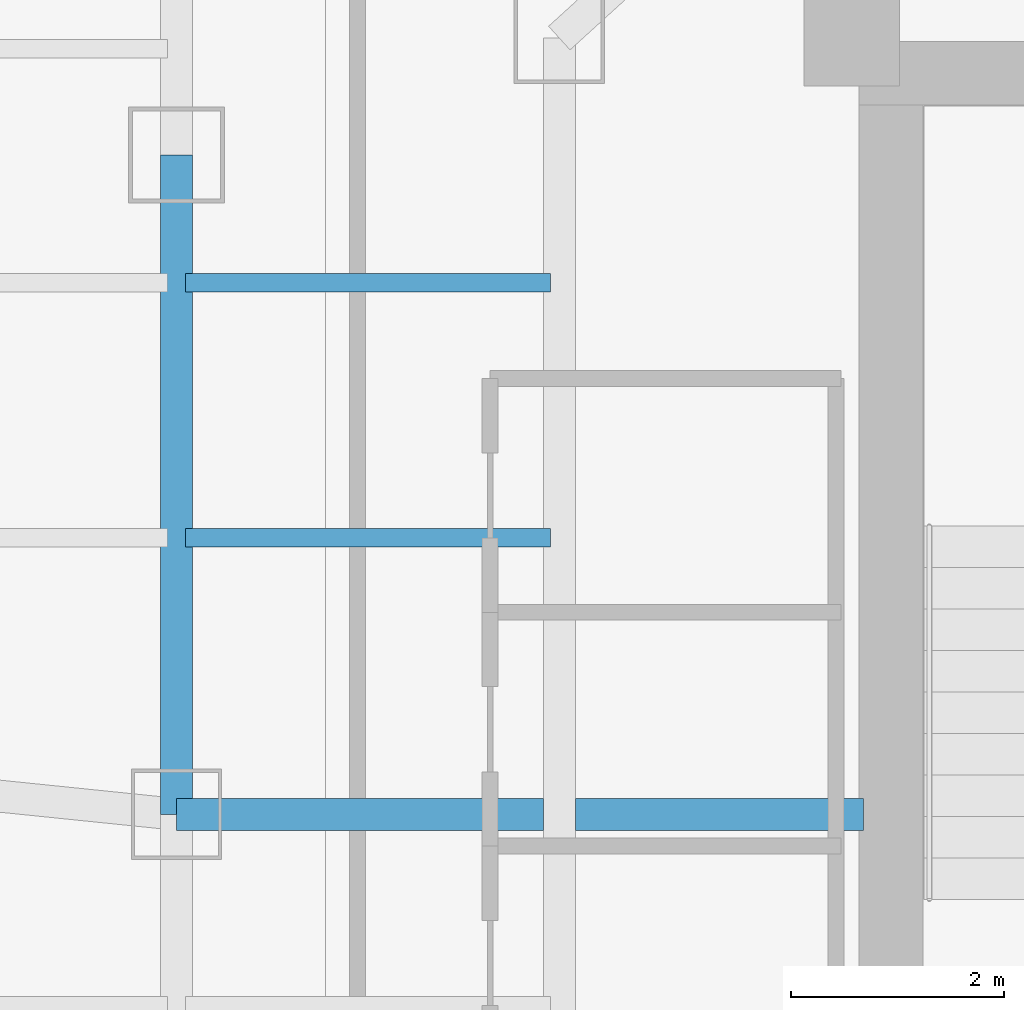
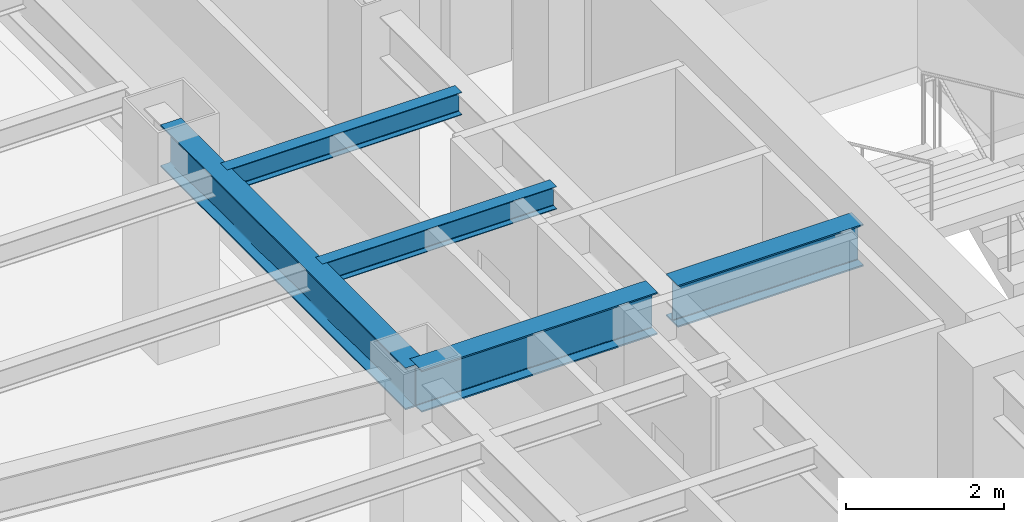
# One storey, part 16 of 29: 5 beams.
"""IFC4 building model written with IfcOpenShell, lengths in metres."""

from ifc_helpers import new_model, si_unit, direction, frame, origin, origin_2d, place, context, subcontext, project, spatial, i_section, extrude, material, material_profile, profile_set, type_object, element, save


model = new_model("IFC4")

# Units and contexts
model_context = context("Model", 3, precision=1e-05, world=origin(), true_north=direction((0.0, 1.0)))
body_context = subcontext(model_context, "Body", "Model", "MODEL_VIEW")
ifc_project = project(units=[si_unit("LENGTHUNIT", "METRE"), si_unit("AREAUNIT", "SQUARE_METRE"), si_unit("VOLUMEUNIT", "CUBIC_METRE"), si_unit("PLANEANGLEUNIT", "RADIAN"), si_unit("MASSUNIT", "GRAM", prefix="KILO")], contexts=[model_context])

# Site, building, storey
site_placement = place(None, origin())
site = spatial("IfcSite", under=ifc_project, at=site_placement, CompositionType="ELEMENT")
building_placement = place(site_placement, origin())
building = spatial("IfcBuilding", under=site, at=building_placement, Name="Hatsunagi Terrace Concourse", CompositionType="ELEMENT")
storey_placement = place(building_placement, frame((0.0, 0.0, 115.64990234375)))
storey = spatial("IfcBuildingStorey", under=building, at=storey_placement, Name="L30", CompositionType="ELEMENT", Elevation=115.64990234375)

# Beams
ifc_material_1 = material(Name="Steel SN490B", Category="steel")
ifc_material_profile_1 = material_profile(ifc_material_1, i_section(OverallWidth=0.175048828125, OverallDepth=0.35009765625, WebThickness=0.007080078125, FlangeThickness=0.010986328125, FilletRadius=0.012939453125, at=origin_2d()), Name="H-350x175x7x11")
ifc_profile_set_1 = profile_set([ifc_material_profile_1], Name="Steel SN490B")
beam_type_1 = type_object("IfcBeamType", Name="HotelJoist_H_350x175", PredefinedType="JOIST", material=ifc_profile_set_1)
for number, where, z_axis, x_axis, name in (
    (1, (19.284912109375, 38.60009765625, 3.175048828125), (1.0, 0.0, 0.0), (0.0, 1.0, 0.0), "Beam J-02 J-L30-W-19-386"),
    (2, (19.284912109375, 41.0, 3.175048828125), (1.0, 0.0, 0.0), (0.0, 1.0, 0.0), "Beam J-02 J-L30-W-19-410"),
):
    element("IfcBeam", number, at=place(storey_placement, frame(where, z_axis=z_axis, x_axis=x_axis)), inside=storey, type_object=beam_type_1, Name=name, PredefinedType="JOIST", context=body_context, shape_type="SweptSolid", body=[
        extrude(i_section(OverallWidth=0.175048828125, OverallDepth=0.35009765625, WebThickness=0.007080078125, FlangeThickness=0.010986328125, FilletRadius=0.012939453125, at=origin_2d()), origin(), (0.0, 0.0, 1.0), 3.43017578125),
    ])
ifc_material_2 = material(Name="Steel SN490B", Category="steel")
ifc_material_profile_2 = material_profile(ifc_material_2, i_section(OverallWidth=0.300048828125, OverallDepth=0.64990234375, WebThickness=0.012939453125, FlangeThickness=0.02197265625, FilletRadius=0.01806640625, at=origin_2d()), Name="H-650x300x13x22")
ifc_profile_set_2 = profile_set([ifc_material_profile_2], Name="Steel SN490B")
beam_type_2 = type_object("IfcBeamType", Name="OfficeLowGirder_H_650x300", PredefinedType="BEAM", material=ifc_profile_set_2)
beam_1_placement = place(storey_placement, frame((19.199951171875, 36.0, 3.025146484375), z_axis=(0.0, 1.0, 0.0), x_axis=(-1.0, 0.0, 0.0)))
element("IfcBeam", 3, at=beam_1_placement, inside=storey, type_object=beam_type_2, Name="Beam G-05 BM-L30-NS-19-36", PredefinedType="BEAM", context=body_context, shape_type="SweptSolid", body=[
    extrude(i_section(OverallWidth=0.300048828125, OverallDepth=0.64990234375, WebThickness=0.012939453125, FlangeThickness=0.02197265625, FilletRadius=0.01806640625, at=origin_2d()), origin(), (0.0, 0.0, 1.0), 6.199951171875),
])
beam_2_placement = place(storey_placement, frame((19.199951171875, 36.0, 3.025146484375), z_axis=(1.0, 0.0, 0.0), x_axis=(0.0, 1.0, 0.0)))
element("IfcBeam", 4, at=beam_2_placement, inside=storey, type_object=beam_type_2, Name="Beam G-05 BM-L30-EW-3", PredefinedType="BEAM", context=body_context, shape_type="SweptSolid", body=[
    extrude(i_section(OverallWidth=0.300048828125, OverallDepth=0.64990234375, WebThickness=0.012939453125, FlangeThickness=0.02197265625, FilletRadius=0.01806640625, at=origin_2d()), origin(), (0.0, 0.0, 1.0), 3.449951171875),
])
beam_3_placement = place(storey_placement, frame((22.949951171875, 36.0, 3.025146484375), z_axis=(1.0, 0.0, 0.0), x_axis=(0.0, 1.0, 0.0)))
element("IfcBeam", 5, at=beam_3_placement, inside=storey, type_object=beam_type_2, Name="Beam G-05 BM-L30-EW-4", PredefinedType="BEAM", context=body_context, shape_type="SweptSolid", body=[
    extrude(i_section(OverallWidth=0.300048828125, OverallDepth=0.64990234375, WebThickness=0.012939453125, FlangeThickness=0.02197265625, FilletRadius=0.01806640625, at=origin_2d()), origin(), (0.0, 0.0, 1.0), 2.7099609375),
])

save(model, "model.ifc")
